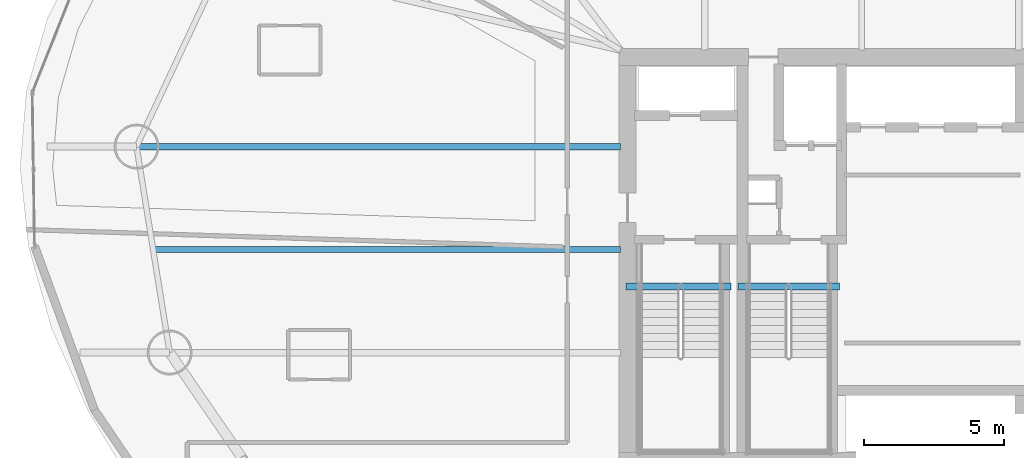
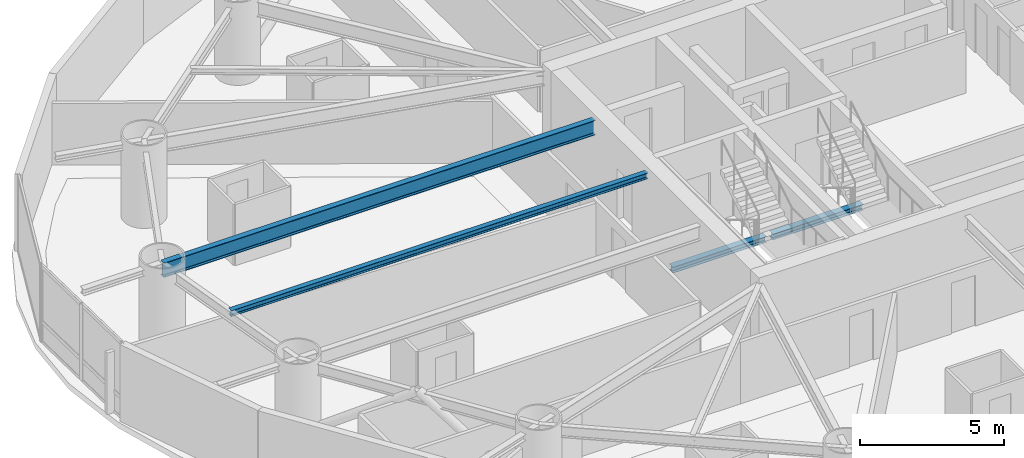
# One storey, part 5 of 26: 4 beams.
"""IFC4 building model written with IfcOpenShell, lengths in metres."""

from ifc_helpers import new_model, si_unit, direction, frame, origin, origin_2d, place, context, subcontext, project, spatial, i_section, extrude, material, material_profile, profile_set, type_object, element, save


model = new_model("IFC4")

# Units and contexts
model_context = context("Model", 3, precision=1e-05, world=origin(), true_north=direction((0.0, 1.0)))
body_context = subcontext(model_context, "Body", "Model", "MODEL_VIEW")
ifc_project = project(units=[si_unit("LENGTHUNIT", "METRE"), si_unit("AREAUNIT", "SQUARE_METRE"), si_unit("VOLUMEUNIT", "CUBIC_METRE"), si_unit("PLANEANGLEUNIT", "RADIAN"), si_unit("MASSUNIT", "GRAM", prefix="KILO")], contexts=[model_context])

# Site, building, storey
site_placement = place(None, origin())
site = spatial("IfcSite", under=ifc_project, at=site_placement, CompositionType="ELEMENT")
building_placement = place(site_placement, origin())
building = spatial("IfcBuilding", under=site, at=building_placement, Name="Bramvorn Convention Spire", CompositionType="ELEMENT")
storey_placement = place(building_placement, frame((0.0, 0.0, 76.39990234375)))
storey = spatial("IfcBuildingStorey", under=building, at=storey_placement, Name="L17", CompositionType="ELEMENT", Elevation=76.39990234375)

# Beams
ifc_material = material(Name="Steel CSA G40.21 Grade 350 (350W)", Category="steel")
ifc_material_profile_1 = material_profile(ifc_material, i_section(OverallWidth=0.201904296875, OverallDepth=0.2470703125, WebThickness=0.00732421875, FlangeThickness=0.010986328125, FilletRadius=0.011962890625, at=origin_2d()))
ifc_profile_set_1 = profile_set([ifc_material_profile_1], Name="Steel CSA G40.21 Grade 350 (350W) - W250X49")
beam_type_1 = type_object("IfcBeamType", Name="BM-W250X49", PredefinedType="JOIST", material=ifc_profile_set_1)
beam_1_placement = place(storey_placement, frame((26.75, 26.333984375, 3.126708984375), z_axis=(-1.0, 0.0, 0.0), x_axis=(0.0, -1.0, 0.0)))
element("IfcBeam", 1, at=beam_1_placement, inside=storey, type_object=beam_type_1, Name="L17 composite floor joist 09", PredefinedType="JOIST", context=body_context, shape_type="SweptSolid", body=[
    extrude(i_section(OverallWidth=0.201904296875, OverallDepth=0.2470703125, WebThickness=0.00732421875, FlangeThickness=0.010986328125, FilletRadius=0.011962890625, at=origin_2d()), origin(), (0.0, 0.0, 1.0), 16.67919921875),
])
ifc_material_profile_2 = material_profile(ifc_material, i_section(OverallWidth=0.25390625, OverallDepth=0.2529296875, WebThickness=0.008544921875, FlangeThickness=0.01416015625, FilletRadius=0.011962890625, at=origin_2d()))
ifc_profile_set_2 = profile_set([ifc_material_profile_2], Name="Steel CSA G40.21 Grade 350 (350W) - W250X73")
beam_type_2 = type_object("IfcBeamType", Name="BM-W250X73", PredefinedType="BEAM", material=ifc_profile_set_2)
beam_2_placement = place(storey_placement, frame((26.949951171875, 25.010009765625, -0.12646484375), z_axis=(1.0, 0.0, 0.0), x_axis=(0.0, 1.0, 0.0)))
element("IfcBeam", 2, at=beam_2_placement, inside=storey, type_object=beam_type_2, Name="L17 ST1 stair arrival header beam", PredefinedType="BEAM", context=body_context, shape_type="SweptSolid", body=[
    extrude(i_section(OverallWidth=0.25390625, OverallDepth=0.2529296875, WebThickness=0.008544921875, FlangeThickness=0.01416015625, FilletRadius=0.011962890625, at=origin_2d()), origin(), (0.0, 0.0, 1.0), 3.739990234375),
])
beam_3_placement = place(storey_placement, frame((30.949951171875, 25.010009765625, -0.12646484375), z_axis=(1.0, 0.0, 0.0), x_axis=(0.0, 1.0, 0.0)))
element("IfcBeam", 3, at=beam_3_placement, inside=storey, type_object=beam_type_2, Name="L17 ST3 stair arrival header beam", PredefinedType="BEAM", context=body_context, shape_type="SweptSolid", body=[
    extrude(i_section(OverallWidth=0.25390625, OverallDepth=0.2529296875, WebThickness=0.008544921875, FlangeThickness=0.01416015625, FilletRadius=0.011962890625, at=origin_2d()), origin(), (0.0, 0.0, 1.0), 3.610107421875),
])
ifc_material_profile_3 = material_profile(ifc_material, i_section(OverallWidth=0.22998046875, OverallDepth=0.616943359375, WebThickness=0.01318359375, FlangeThickness=0.022216796875, FilletRadius=0.02001953125, at=origin_2d()))
ifc_profile_set_3 = profile_set([ifc_material_profile_3], Name="Steel CSA G40.21 Grade 350 (350W) - W610X140")
beam_type_3 = type_object("IfcBeamType", Name="BM-W610X140", PredefinedType="BEAM", material=ifc_profile_set_3)
beam_4_placement = place(storey_placement, frame((26.75, 30.00830078125, 2.941650390625), z_axis=(-1.0, 0.0, 0.0), x_axis=(0.0, -1.0, 0.0)))
element("IfcBeam", 4, at=beam_4_placement, inside=storey, type_object=beam_type_3, Name="L17 radial floor girder MC09", PredefinedType="BEAM", context=body_context, shape_type="SweptSolid", body=[
    extrude(i_section(OverallWidth=0.22998046875, OverallDepth=0.616943359375, WebThickness=0.01318359375, FlangeThickness=0.022216796875, FilletRadius=0.02001953125, at=origin_2d()), origin(), (0.0, 0.0, 1.0), 17.269775390625),
])

save(model, "model.ifc")
